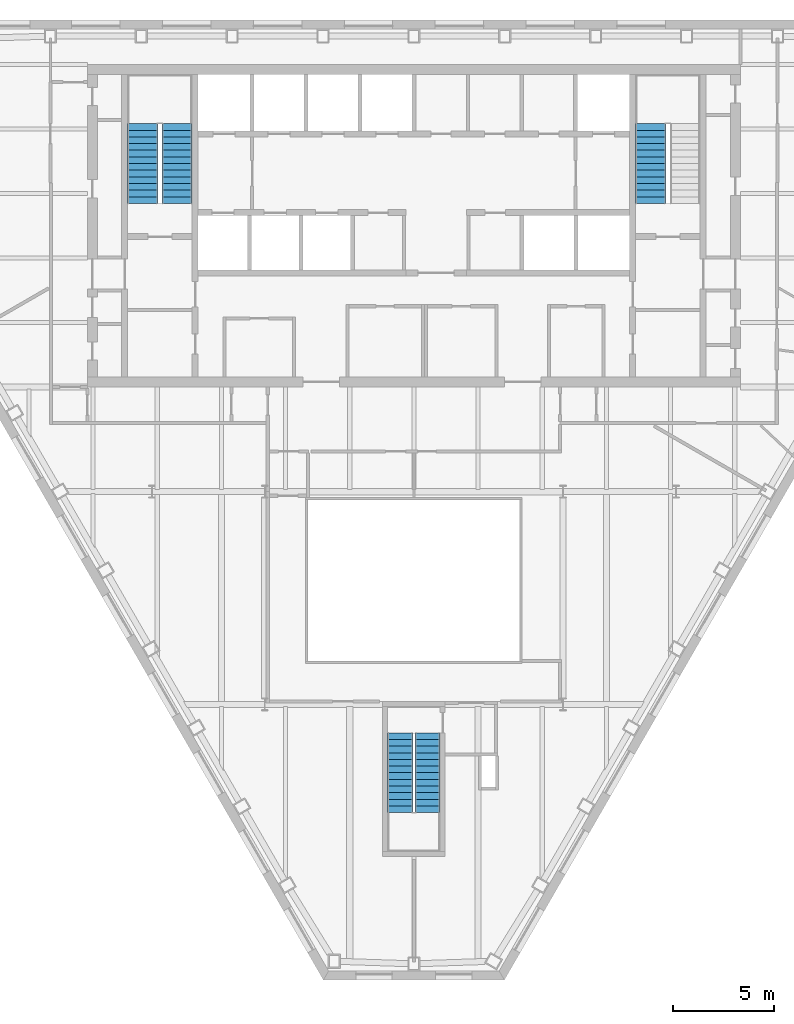
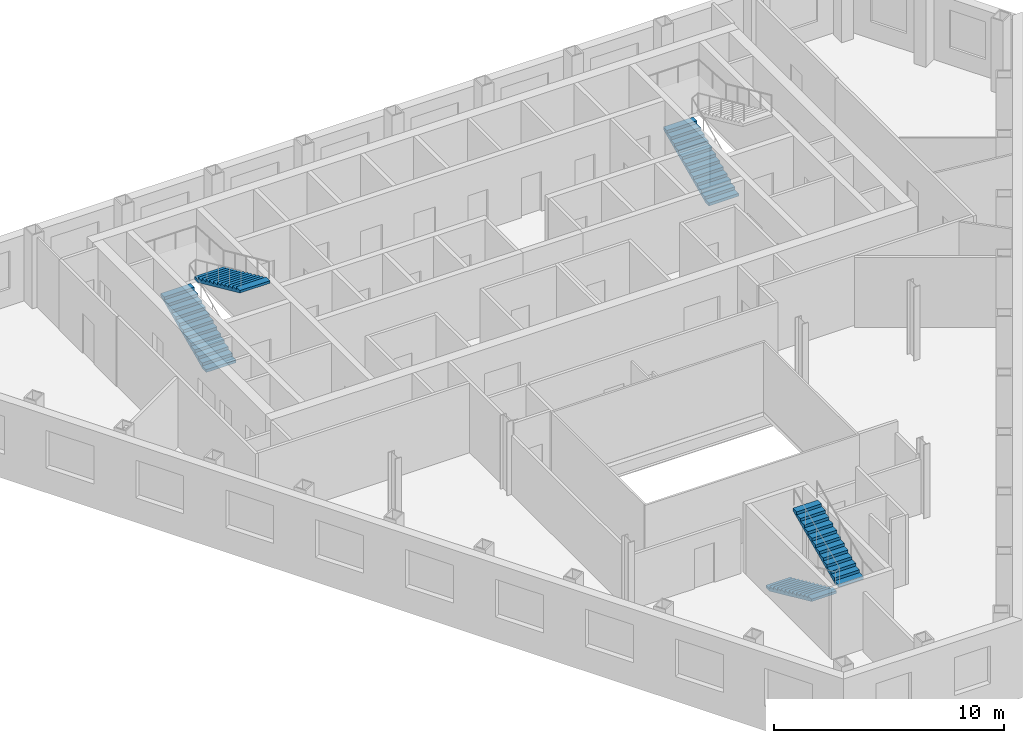
# One storey, part 9 of 11: 5 stair flights, 3 elements without a shape of their own.
"""IFC4 building model written with IfcOpenShell, lengths in metres."""

from ifc_helpers import new_model, si_unit, direction, frame, origin, place, context, subcontext, project, spatial, polygons, material, type_object, element, aggregate, save


model = new_model("IFC4")

# Units and contexts
model_context = context("Model", 3, precision=1e-05, world=origin(), true_north=direction((0.0, 1.0)))
body_context = subcontext(model_context, "Body", "Model", "MODEL_VIEW")
ifc_project = project(units=[si_unit("LENGTHUNIT", "METRE"), si_unit("AREAUNIT", "SQUARE_METRE"), si_unit("VOLUMEUNIT", "CUBIC_METRE"), si_unit("PLANEANGLEUNIT", "RADIAN"), si_unit("MASSUNIT", "GRAM", prefix="KILO")], contexts=[model_context])

# Site, building, storey
site_placement = place(None, origin())
site = spatial("IfcSite", under=ifc_project, at=site_placement, CompositionType="ELEMENT")
building_placement = place(site_placement, origin())
building = spatial("IfcBuilding", under=site, at=building_placement, Name="Njiva Tower", CompositionType="ELEMENT")
storey_placement = place(building_placement, frame((0.0, 0.0, 147.6)))
storey = spatial("IfcBuildingStorey", under=building, at=storey_placement, Name="L31", CompositionType="ELEMENT", Elevation=147.6)

# Stair, stair flights
ifc_material = material(Name="Concrete C40/50", Category="concrete")
stair_type_1 = type_object("IfcStairType", Name="ST1 Exit stair 1250", PredefinedType="HALF_TURN_STAIR", material=ifc_material)
stair_1_placement = place(storey_placement, origin())
stair_1 = element("IfcStair", 1, at=stair_1_placement, inside=storey, type_object=stair_type_1, Name="Stair C", PredefinedType="HALF_TURN_STAIR")
stair_flight_type_1 = type_object("IfcStairFlightType", Name="FL1 Stair flight 1250", PredefinedType="STRAIGHT", material=ifc_material)
stair_flight_1_placement = place(storey_placement, frame((-0.675, -15.16, 0.0), z_axis=(0.0, 0.0, 1.0), x_axis=(0.0, -1.0, 0.0)))
stair_flight_1 = element("IfcStairFlight", 2, at=stair_flight_1_placement, type_object=stair_flight_type_1, Name="ST-C flight 1", NumberOfRisers=13, NumberOfTreads=12, PredefinedType="STRAIGHT", RiserHeight=0.15, TreadLength=0.33, context=body_context, shape_type="Tessellation", body=[
    polygons([(0.0, 0.625, 0.0), (0.0, 0.3125, 0.0), (0.0, 0.0, 0.0), (0.0, -0.3125, 0.0), (0.0, -0.625, 0.0), (0.0, 0.625, 0.15), (0.0, 0.3125, 0.15), (0.0, 0.0, 0.15), (0.0, -0.3125, 0.15), (0.0, -0.625, 0.15), (0.33, 0.625, 0.15), (0.33, 0.3125, 0.15), (0.33, 0.0, 0.15), (0.33, -0.3125, 0.15), (0.33, -0.625, 0.15), (0.33, 0.625, 0.3), (0.33, 0.3125, 0.3), (0.33, 0.0, 0.3), (0.33, -0.3125, 0.3), (0.33, -0.625, 0.3), (0.66, 0.625, 0.3), (0.66, 0.3125, 0.3), (0.66, 0.0, 0.3), (0.66, -0.3125, 0.3), (0.66, -0.625, 0.3), (0.66, 0.625, 0.45), (0.66, 0.3125, 0.45), (0.66, 0.0, 0.45), (0.66, -0.3125, 0.45), (0.66, -0.625, 0.45), (0.99, 0.625, 0.45), (0.99, 0.3125, 0.45), (0.99, 0.0, 0.45), (0.99, -0.3125, 0.45), (0.99, -0.625, 0.45), (0.99, 0.625, 0.6), (0.99, 0.3125, 0.6), (0.99, 0.0, 0.6), (0.99, -0.3125, 0.6), (0.99, -0.625, 0.6), (1.32, 0.625, 0.6), (1.32, 0.3125, 0.6), (1.32, 0.0, 0.6), (1.32, -0.3125, 0.6), (1.32, -0.625, 0.6), (1.32, 0.625, 0.75), (1.32, 0.3125, 0.75), (1.32, 0.0, 0.75), (1.32, -0.3125, 0.75), (1.32, -0.625, 0.75), (1.65, 0.625, 0.75), (1.65, 0.3125, 0.75), (1.65, 0.0, 0.75), (1.65, -0.3125, 0.75), (1.65, -0.625, 0.75), (1.65, 0.625, 0.9), (1.65, 0.3125, 0.9), (1.65, 0.0, 0.9), (1.65, -0.3125, 0.9), (1.65, -0.625, 0.9), (1.98, 0.625, 0.9), (1.98, 0.3125, 0.9), (1.98, 0.0, 0.9), (1.98, -0.3125, 0.9), (1.98, -0.625, 0.9), (1.98, 0.625, 1.05), (1.98, 0.3125, 1.05), (1.98, 0.0, 1.05), (1.98, -0.3125, 1.05), (1.98, -0.625, 1.05), (2.31, 0.625, 1.05), (2.31, 0.3125, 1.05), (2.31, 0.0, 1.05), (2.31, -0.3125, 1.05), (2.31, -0.625, 1.05), (2.31, 0.625, 1.2), (2.31, 0.3125, 1.2), (2.31, 0.0, 1.2), (2.31, -0.3125, 1.2), (2.31, -0.625, 1.2), (2.64, 0.625, 1.2), (2.64, 0.3125, 1.2), (2.64, 0.0, 1.2), (2.64, -0.3125, 1.2), (2.64, -0.625, 1.2), (2.64, 0.625, 1.35), (2.64, 0.3125, 1.35), (2.64, 0.0, 1.35), (2.64, -0.3125, 1.35), (2.64, -0.625, 1.35), (2.97, 0.625, 1.35), (2.97, 0.3125, 1.35), (2.97, 0.0, 1.35), (2.97, -0.3125, 1.35), (2.97, -0.625, 1.35), (2.97, 0.625, 1.5), (2.97, 0.3125, 1.5), (2.97, 0.0, 1.5), (2.97, -0.3125, 1.5), (2.97, -0.625, 1.5), (3.3, 0.625, 1.5), (3.3, 0.3125, 1.5), (3.3, 0.0, 1.5), (3.3, -0.3125, 1.5), (3.3, -0.625, 1.5), (3.3, 0.625, 1.65), (3.3, 0.3125, 1.65), (3.3, 0.0, 1.65), (3.3, -0.3125, 1.65), (3.3, -0.625, 1.65), (3.63, 0.625, 1.65), (3.63, 0.3125, 1.65), (3.63, 0.0, 1.65), (3.63, -0.3125, 1.65), (3.63, -0.625, 1.65), (3.63, 0.625, 1.8), (3.63, 0.3125, 1.8), (3.63, 0.0, 1.8), (3.63, -0.3125, 1.8), (3.63, -0.625, 1.8), (3.96, 0.625, 1.8), (3.96, 0.3125, 1.8), (3.96, 0.0, 1.8), (3.96, -0.3125, 1.8), (3.96, -0.625, 1.8), (3.96, 0.625, 1.6682), (3.96, 0.3125, 1.6682), (3.96, 0.0, 1.6682), (3.96, -0.3125, 1.6682), (3.96, -0.625, 1.6682), (0.29, 0.625, 0.0), (0.29, 0.3125, 0.0), (0.29, 0.0, 0.0), (0.29, -0.3125, 0.0), (0.29, -0.625, 0.0)], [[[1, 6, 11, 16, 21, 26, 31, 36, 41, 46, 51, 56, 61, 66, 71, 76, 81, 86, 91, 96, 101, 106, 111, 116, 121, 126, 131]], [[135, 130, 125, 120, 115, 110, 105, 100, 95, 90, 85, 80, 75, 70, 65, 60, 55, 50, 45, 40, 35, 30, 25, 20, 15, 10, 5]], [[6, 1, 2, 7]], [[7, 2, 3, 8]], [[8, 3, 4, 9]], [[9, 4, 5, 10]], [[11, 6, 7, 12]], [[12, 7, 8, 13]], [[13, 8, 9, 14]], [[14, 9, 10, 15]], [[16, 11, 12, 17]], [[17, 12, 13, 18]], [[18, 13, 14, 19]], [[19, 14, 15, 20]], [[21, 16, 17, 22]], [[22, 17, 18, 23]], [[23, 18, 19, 24]], [[24, 19, 20, 25]], [[26, 21, 22, 27]], [[27, 22, 23, 28]], [[28, 23, 24, 29]], [[29, 24, 25, 30]], [[31, 26, 27, 32]], [[32, 27, 28, 33]], [[33, 28, 29, 34]], [[34, 29, 30, 35]], [[36, 31, 32, 37]], [[37, 32, 33, 38]], [[38, 33, 34, 39]], [[39, 34, 35, 40]], [[41, 36, 37, 42]], [[42, 37, 38, 43]], [[43, 38, 39, 44]], [[44, 39, 40, 45]], [[46, 41, 42, 47]], [[47, 42, 43, 48]], [[48, 43, 44, 49]], [[49, 44, 45, 50]], [[51, 46, 47, 52]], [[52, 47, 48, 53]], [[53, 48, 49, 54]], [[54, 49, 50, 55]], [[56, 51, 52, 57]], [[57, 52, 53, 58]], [[58, 53, 54, 59]], [[59, 54, 55, 60]], [[61, 56, 57, 62]], [[62, 57, 58, 63]], [[63, 58, 59, 64]], [[64, 59, 60, 65]], [[66, 61, 62, 67]], [[67, 62, 63, 68]], [[68, 63, 64, 69]], [[69, 64, 65, 70]], [[71, 66, 67, 72]], [[72, 67, 68, 73]], [[73, 68, 69, 74]], [[74, 69, 70, 75]], [[76, 71, 72, 77]], [[77, 72, 73, 78]], [[78, 73, 74, 79]], [[79, 74, 75, 80]], [[81, 76, 77, 82]], [[82, 77, 78, 83]], [[83, 78, 79, 84]], [[84, 79, 80, 85]], [[86, 81, 82, 87]], [[87, 82, 83, 88]], [[88, 83, 84, 89]], [[89, 84, 85, 90]], [[91, 86, 87, 92]], [[92, 87, 88, 93]], [[93, 88, 89, 94]], [[94, 89, 90, 95]], [[96, 91, 92, 97]], [[97, 92, 93, 98]], [[98, 93, 94, 99]], [[99, 94, 95, 100]], [[101, 96, 97, 102]], [[102, 97, 98, 103]], [[103, 98, 99, 104]], [[104, 99, 100, 105]], [[106, 101, 102, 107]], [[107, 102, 103, 108]], [[108, 103, 104, 109]], [[109, 104, 105, 110]], [[111, 106, 107, 112]], [[112, 107, 108, 113]], [[113, 108, 109, 114]], [[114, 109, 110, 115]], [[116, 111, 112, 117]], [[117, 112, 113, 118]], [[118, 113, 114, 119]], [[119, 114, 115, 120]], [[121, 116, 117, 122]], [[122, 117, 118, 123]], [[123, 118, 119, 124]], [[124, 119, 120, 125]], [[126, 121, 122, 127]], [[127, 122, 123, 128]], [[128, 123, 124, 129]], [[129, 124, 125, 130]], [[131, 126, 127, 132]], [[132, 127, 128, 133]], [[133, 128, 129, 134]], [[134, 129, 130, 135]], [[1, 131, 132, 2]], [[2, 132, 133, 3]], [[3, 133, 134, 4]], [[4, 134, 135, 5]]], closed=True),
])
stair_flight_2_placement = place(storey_placement, frame((0.675, -19.12, 1.95), z_axis=(0.0, 0.0, 1.0), x_axis=(0.0, 1.0, 0.0)))
stair_flight_2 = element("IfcStairFlight", 3, at=stair_flight_2_placement, type_object=stair_flight_type_1, Name="ST-C flight 2", NumberOfRisers=13, NumberOfTreads=12, PredefinedType="STRAIGHT", RiserHeight=0.15, TreadLength=0.33, context=body_context, shape_type="Tessellation", body=[
    polygons([(0.0, 0.625, 0.0), (0.0, 0.3125, 0.0), (0.0, 0.0, 0.0), (0.0, -0.3125, 0.0), (0.0, -0.625, 0.0), (0.0, 0.625, 0.15), (0.0, 0.3125, 0.15), (0.0, 0.0, 0.15), (0.0, -0.3125, 0.15), (0.0, -0.625, 0.15), (0.33, 0.625, 0.15), (0.33, 0.3125, 0.15), (0.33, 0.0, 0.15), (0.33, -0.3125, 0.15), (0.33, -0.625, 0.15), (0.33, 0.625, 0.3), (0.33, 0.3125, 0.3), (0.33, 0.0, 0.3), (0.33, -0.3125, 0.3), (0.33, -0.625, 0.3), (0.66, 0.625, 0.3), (0.66, 0.3125, 0.3), (0.66, 0.0, 0.3), (0.66, -0.3125, 0.3), (0.66, -0.625, 0.3), (0.66, 0.625, 0.45), (0.66, 0.3125, 0.45), (0.66, 0.0, 0.45), (0.66, -0.3125, 0.45), (0.66, -0.625, 0.45), (0.99, 0.625, 0.45), (0.99, 0.3125, 0.45), (0.99, 0.0, 0.45), (0.99, -0.3125, 0.45), (0.99, -0.625, 0.45), (0.99, 0.625, 0.6), (0.99, 0.3125, 0.6), (0.99, 0.0, 0.6), (0.99, -0.3125, 0.6), (0.99, -0.625, 0.6), (1.32, 0.625, 0.6), (1.32, 0.3125, 0.6), (1.32, 0.0, 0.6), (1.32, -0.3125, 0.6), (1.32, -0.625, 0.6), (1.32, 0.625, 0.75), (1.32, 0.3125, 0.75), (1.32, 0.0, 0.75), (1.32, -0.3125, 0.75), (1.32, -0.625, 0.75), (1.65, 0.625, 0.75), (1.65, 0.3125, 0.75), (1.65, 0.0, 0.75), (1.65, -0.3125, 0.75), (1.65, -0.625, 0.75), (1.65, 0.625, 0.9), (1.65, 0.3125, 0.9), (1.65, 0.0, 0.9), (1.65, -0.3125, 0.9), (1.65, -0.625, 0.9), (1.98, 0.625, 0.9), (1.98, 0.3125, 0.9), (1.98, 0.0, 0.9), (1.98, -0.3125, 0.9), (1.98, -0.625, 0.9), (1.98, 0.625, 1.05), (1.98, 0.3125, 1.05), (1.98, 0.0, 1.05), (1.98, -0.3125, 1.05), (1.98, -0.625, 1.05), (2.31, 0.625, 1.05), (2.31, 0.3125, 1.05), (2.31, 0.0, 1.05), (2.31, -0.3125, 1.05), (2.31, -0.625, 1.05), (2.31, 0.625, 1.2), (2.31, 0.3125, 1.2), (2.31, 0.0, 1.2), (2.31, -0.3125, 1.2), (2.31, -0.625, 1.2), (2.64, 0.625, 1.2), (2.64, 0.3125, 1.2), (2.64, 0.0, 1.2), (2.64, -0.3125, 1.2), (2.64, -0.625, 1.2), (2.64, 0.625, 1.35), (2.64, 0.3125, 1.35), (2.64, 0.0, 1.35), (2.64, -0.3125, 1.35), (2.64, -0.625, 1.35), (2.97, 0.625, 1.35), (2.97, 0.3125, 1.35), (2.97, 0.0, 1.35), (2.97, -0.3125, 1.35), (2.97, -0.625, 1.35), (2.97, 0.625, 1.5), (2.97, 0.3125, 1.5), (2.97, 0.0, 1.5), (2.97, -0.3125, 1.5), (2.97, -0.625, 1.5), (3.3, 0.625, 1.5), (3.3, 0.3125, 1.5), (3.3, 0.0, 1.5), (3.3, -0.3125, 1.5), (3.3, -0.625, 1.5), (3.3, 0.625, 1.65), (3.3, 0.3125, 1.65), (3.3, 0.0, 1.65), (3.3, -0.3125, 1.65), (3.3, -0.625, 1.65), (3.63, 0.625, 1.65), (3.63, 0.3125, 1.65), (3.63, 0.0, 1.65), (3.63, -0.3125, 1.65), (3.63, -0.625, 1.65), (3.63, 0.625, 1.8), (3.63, 0.3125, 1.8), (3.63, 0.0, 1.8), (3.63, -0.3125, 1.8), (3.63, -0.625, 1.8), (3.96, 0.625, 1.8), (3.96, 0.3125, 1.8), (3.96, 0.0, 1.8), (3.96, -0.3125, 1.8), (3.96, -0.625, 1.8), (3.96, 0.625, 1.6682), (3.96, 0.3125, 1.6682), (3.96, 0.0, 1.6682), (3.96, -0.3125, 1.6682), (3.96, -0.625, 1.6682), (0.29, 0.625, 0.0), (0.29, 0.3125, 0.0), (0.29, 0.0, 0.0), (0.29, -0.3125, 0.0), (0.29, -0.625, 0.0)], [[[1, 6, 11, 16, 21, 26, 31, 36, 41, 46, 51, 56, 61, 66, 71, 76, 81, 86, 91, 96, 101, 106, 111, 116, 121, 126, 131]], [[135, 130, 125, 120, 115, 110, 105, 100, 95, 90, 85, 80, 75, 70, 65, 60, 55, 50, 45, 40, 35, 30, 25, 20, 15, 10, 5]], [[6, 1, 2, 7]], [[7, 2, 3, 8]], [[8, 3, 4, 9]], [[9, 4, 5, 10]], [[11, 6, 7, 12]], [[12, 7, 8, 13]], [[13, 8, 9, 14]], [[14, 9, 10, 15]], [[16, 11, 12, 17]], [[17, 12, 13, 18]], [[18, 13, 14, 19]], [[19, 14, 15, 20]], [[21, 16, 17, 22]], [[22, 17, 18, 23]], [[23, 18, 19, 24]], [[24, 19, 20, 25]], [[26, 21, 22, 27]], [[27, 22, 23, 28]], [[28, 23, 24, 29]], [[29, 24, 25, 30]], [[31, 26, 27, 32]], [[32, 27, 28, 33]], [[33, 28, 29, 34]], [[34, 29, 30, 35]], [[36, 31, 32, 37]], [[37, 32, 33, 38]], [[38, 33, 34, 39]], [[39, 34, 35, 40]], [[41, 36, 37, 42]], [[42, 37, 38, 43]], [[43, 38, 39, 44]], [[44, 39, 40, 45]], [[46, 41, 42, 47]], [[47, 42, 43, 48]], [[48, 43, 44, 49]], [[49, 44, 45, 50]], [[51, 46, 47, 52]], [[52, 47, 48, 53]], [[53, 48, 49, 54]], [[54, 49, 50, 55]], [[56, 51, 52, 57]], [[57, 52, 53, 58]], [[58, 53, 54, 59]], [[59, 54, 55, 60]], [[61, 56, 57, 62]], [[62, 57, 58, 63]], [[63, 58, 59, 64]], [[64, 59, 60, 65]], [[66, 61, 62, 67]], [[67, 62, 63, 68]], [[68, 63, 64, 69]], [[69, 64, 65, 70]], [[71, 66, 67, 72]], [[72, 67, 68, 73]], [[73, 68, 69, 74]], [[74, 69, 70, 75]], [[76, 71, 72, 77]], [[77, 72, 73, 78]], [[78, 73, 74, 79]], [[79, 74, 75, 80]], [[81, 76, 77, 82]], [[82, 77, 78, 83]], [[83, 78, 79, 84]], [[84, 79, 80, 85]], [[86, 81, 82, 87]], [[87, 82, 83, 88]], [[88, 83, 84, 89]], [[89, 84, 85, 90]], [[91, 86, 87, 92]], [[92, 87, 88, 93]], [[93, 88, 89, 94]], [[94, 89, 90, 95]], [[96, 91, 92, 97]], [[97, 92, 93, 98]], [[98, 93, 94, 99]], [[99, 94, 95, 100]], [[101, 96, 97, 102]], [[102, 97, 98, 103]], [[103, 98, 99, 104]], [[104, 99, 100, 105]], [[106, 101, 102, 107]], [[107, 102, 103, 108]], [[108, 103, 104, 109]], [[109, 104, 105, 110]], [[111, 106, 107, 112]], [[112, 107, 108, 113]], [[113, 108, 109, 114]], [[114, 109, 110, 115]], [[116, 111, 112, 117]], [[117, 112, 113, 118]], [[118, 113, 114, 119]], [[119, 114, 115, 120]], [[121, 116, 117, 122]], [[122, 117, 118, 123]], [[123, 118, 119, 124]], [[124, 119, 120, 125]], [[126, 121, 122, 127]], [[127, 122, 123, 128]], [[128, 123, 124, 129]], [[129, 124, 125, 130]], [[131, 126, 127, 132]], [[132, 127, 128, 133]], [[133, 128, 129, 134]], [[134, 129, 130, 135]], [[1, 131, 132, 2]], [[2, 132, 133, 3]], [[3, 133, 134, 4]], [[4, 134, 135, 5]]], closed=True),
])
aggregate(stair_1, [stair_flight_1, stair_flight_2])

stair_type_2 = type_object("IfcStairType", Name="ST4 Exit stair 1500", PredefinedType="HALF_TURN_STAIR", material=ifc_material)
stair_2_placement = place(storey_placement, origin())
stair_2 = element("IfcStair", 4, at=stair_2_placement, inside=storey, type_object=stair_type_2, Name="Stair A", PredefinedType="HALF_TURN_STAIR")
stair_flight_type_2 = type_object("IfcStairFlightType", Name="FL4 Stair flight 1500", PredefinedType="STRAIGHT", material=ifc_material)
stair_flight_3_placement = place(storey_placement, frame((-13.45, 11.1, 0.0), z_axis=(0.0, 0.0, 1.0), x_axis=(0.0, 1.0, 0.0)))
stair_flight_3 = element("IfcStairFlight", 5, at=stair_flight_3_placement, type_object=stair_flight_type_2, Name="ST-A flight 1", NumberOfRisers=13, NumberOfTreads=12, PredefinedType="STRAIGHT", RiserHeight=0.15, TreadLength=0.33, context=body_context, shape_type="Tessellation", body=[
    polygons([(0.0, 0.75, 0.0), (0.0, 0.375, 0.0), (0.0, 0.0, 0.0), (0.0, -0.375, 0.0), (0.0, -0.75, 0.0), (0.0, 0.75, 0.15), (0.0, 0.375, 0.15), (0.0, 0.0, 0.15), (0.0, -0.375, 0.15), (0.0, -0.75, 0.15), (0.33, 0.75, 0.15), (0.33, 0.375, 0.15), (0.33, 0.0, 0.15), (0.33, -0.375, 0.15), (0.33, -0.75, 0.15), (0.33, 0.75, 0.3), (0.33, 0.375, 0.3), (0.33, 0.0, 0.3), (0.33, -0.375, 0.3), (0.33, -0.75, 0.3), (0.66, 0.75, 0.3), (0.66, 0.375, 0.3), (0.66, 0.0, 0.3), (0.66, -0.375, 0.3), (0.66, -0.75, 0.3), (0.66, 0.75, 0.45), (0.66, 0.375, 0.45), (0.66, 0.0, 0.45), (0.66, -0.375, 0.45), (0.66, -0.75, 0.45), (0.99, 0.75, 0.45), (0.99, 0.375, 0.45), (0.99, 0.0, 0.45), (0.99, -0.375, 0.45), (0.99, -0.75, 0.45), (0.99, 0.75, 0.6), (0.99, 0.375, 0.6), (0.99, 0.0, 0.6), (0.99, -0.375, 0.6), (0.99, -0.75, 0.6), (1.32, 0.75, 0.6), (1.32, 0.375, 0.6), (1.32, 0.0, 0.6), (1.32, -0.375, 0.6), (1.32, -0.75, 0.6), (1.32, 0.75, 0.75), (1.32, 0.375, 0.75), (1.32, 0.0, 0.75), (1.32, -0.375, 0.75), (1.32, -0.75, 0.75), (1.65, 0.75, 0.75), (1.65, 0.375, 0.75), (1.65, 0.0, 0.75), (1.65, -0.375, 0.75), (1.65, -0.75, 0.75), (1.65, 0.75, 0.9), (1.65, 0.375, 0.9), (1.65, 0.0, 0.9), (1.65, -0.375, 0.9), (1.65, -0.75, 0.9), (1.98, 0.75, 0.9), (1.98, 0.375, 0.9), (1.98, 0.0, 0.9), (1.98, -0.375, 0.9), (1.98, -0.75, 0.9), (1.98, 0.75, 1.05), (1.98, 0.375, 1.05), (1.98, 0.0, 1.05), (1.98, -0.375, 1.05), (1.98, -0.75, 1.05), (2.31, 0.75, 1.05), (2.31, 0.375, 1.05), (2.31, 0.0, 1.05), (2.31, -0.375, 1.05), (2.31, -0.75, 1.05), (2.31, 0.75, 1.2), (2.31, 0.375, 1.2), (2.31, 0.0, 1.2), (2.31, -0.375, 1.2), (2.31, -0.75, 1.2), (2.64, 0.75, 1.2), (2.64, 0.375, 1.2), (2.64, 0.0, 1.2), (2.64, -0.375, 1.2), (2.64, -0.75, 1.2), (2.64, 0.75, 1.35), (2.64, 0.375, 1.35), (2.64, 0.0, 1.35), (2.64, -0.375, 1.35), (2.64, -0.75, 1.35), (2.97, 0.75, 1.35), (2.97, 0.375, 1.35), (2.97, 0.0, 1.35), (2.97, -0.375, 1.35), (2.97, -0.75, 1.35), (2.97, 0.75, 1.5), (2.97, 0.375, 1.5), (2.97, 0.0, 1.5), (2.97, -0.375, 1.5), (2.97, -0.75, 1.5), (3.3, 0.75, 1.5), (3.3, 0.375, 1.5), (3.3, 0.0, 1.5), (3.3, -0.375, 1.5), (3.3, -0.75, 1.5), (3.3, 0.75, 1.65), (3.3, 0.375, 1.65), (3.3, 0.0, 1.65), (3.3, -0.375, 1.65), (3.3, -0.75, 1.65), (3.63, 0.75, 1.65), (3.63, 0.375, 1.65), (3.63, 0.0, 1.65), (3.63, -0.375, 1.65), (3.63, -0.75, 1.65), (3.63, 0.75, 1.8), (3.63, 0.375, 1.8), (3.63, 0.0, 1.8), (3.63, -0.375, 1.8), (3.63, -0.75, 1.8), (3.96, 0.75, 1.8), (3.96, 0.375, 1.8), (3.96, 0.0, 1.8), (3.96, -0.375, 1.8), (3.96, -0.75, 1.8), (3.96, 0.75, 1.6682), (3.96, 0.375, 1.6682), (3.96, 0.0, 1.6682), (3.96, -0.375, 1.6682), (3.96, -0.75, 1.6682), (0.29, 0.75, 0.0), (0.29, 0.375, 0.0), (0.29, 0.0, 0.0), (0.29, -0.375, 0.0), (0.29, -0.75, 0.0)], [[[1, 6, 11, 16, 21, 26, 31, 36, 41, 46, 51, 56, 61, 66, 71, 76, 81, 86, 91, 96, 101, 106, 111, 116, 121, 126, 131]], [[135, 130, 125, 120, 115, 110, 105, 100, 95, 90, 85, 80, 75, 70, 65, 60, 55, 50, 45, 40, 35, 30, 25, 20, 15, 10, 5]], [[6, 1, 2, 7]], [[7, 2, 3, 8]], [[8, 3, 4, 9]], [[9, 4, 5, 10]], [[11, 6, 7, 12]], [[12, 7, 8, 13]], [[13, 8, 9, 14]], [[14, 9, 10, 15]], [[16, 11, 12, 17]], [[17, 12, 13, 18]], [[18, 13, 14, 19]], [[19, 14, 15, 20]], [[21, 16, 17, 22]], [[22, 17, 18, 23]], [[23, 18, 19, 24]], [[24, 19, 20, 25]], [[26, 21, 22, 27]], [[27, 22, 23, 28]], [[28, 23, 24, 29]], [[29, 24, 25, 30]], [[31, 26, 27, 32]], [[32, 27, 28, 33]], [[33, 28, 29, 34]], [[34, 29, 30, 35]], [[36, 31, 32, 37]], [[37, 32, 33, 38]], [[38, 33, 34, 39]], [[39, 34, 35, 40]], [[41, 36, 37, 42]], [[42, 37, 38, 43]], [[43, 38, 39, 44]], [[44, 39, 40, 45]], [[46, 41, 42, 47]], [[47, 42, 43, 48]], [[48, 43, 44, 49]], [[49, 44, 45, 50]], [[51, 46, 47, 52]], [[52, 47, 48, 53]], [[53, 48, 49, 54]], [[54, 49, 50, 55]], [[56, 51, 52, 57]], [[57, 52, 53, 58]], [[58, 53, 54, 59]], [[59, 54, 55, 60]], [[61, 56, 57, 62]], [[62, 57, 58, 63]], [[63, 58, 59, 64]], [[64, 59, 60, 65]], [[66, 61, 62, 67]], [[67, 62, 63, 68]], [[68, 63, 64, 69]], [[69, 64, 65, 70]], [[71, 66, 67, 72]], [[72, 67, 68, 73]], [[73, 68, 69, 74]], [[74, 69, 70, 75]], [[76, 71, 72, 77]], [[77, 72, 73, 78]], [[78, 73, 74, 79]], [[79, 74, 75, 80]], [[81, 76, 77, 82]], [[82, 77, 78, 83]], [[83, 78, 79, 84]], [[84, 79, 80, 85]], [[86, 81, 82, 87]], [[87, 82, 83, 88]], [[88, 83, 84, 89]], [[89, 84, 85, 90]], [[91, 86, 87, 92]], [[92, 87, 88, 93]], [[93, 88, 89, 94]], [[94, 89, 90, 95]], [[96, 91, 92, 97]], [[97, 92, 93, 98]], [[98, 93, 94, 99]], [[99, 94, 95, 100]], [[101, 96, 97, 102]], [[102, 97, 98, 103]], [[103, 98, 99, 104]], [[104, 99, 100, 105]], [[106, 101, 102, 107]], [[107, 102, 103, 108]], [[108, 103, 104, 109]], [[109, 104, 105, 110]], [[111, 106, 107, 112]], [[112, 107, 108, 113]], [[113, 108, 109, 114]], [[114, 109, 110, 115]], [[116, 111, 112, 117]], [[117, 112, 113, 118]], [[118, 113, 114, 119]], [[119, 114, 115, 120]], [[121, 116, 117, 122]], [[122, 117, 118, 123]], [[123, 118, 119, 124]], [[124, 119, 120, 125]], [[126, 121, 122, 127]], [[127, 122, 123, 128]], [[128, 123, 124, 129]], [[129, 124, 125, 130]], [[131, 126, 127, 132]], [[132, 127, 128, 133]], [[133, 128, 129, 134]], [[134, 129, 130, 135]], [[1, 131, 132, 2]], [[2, 132, 133, 3]], [[3, 133, 134, 4]], [[4, 134, 135, 5]]], closed=True),
])
stair_flight_4_placement = place(storey_placement, frame((-11.75, 15.06, 1.95), z_axis=(0.0, 0.0, 1.0), x_axis=(0.0, -1.0, 0.0)))
stair_flight_4 = element("IfcStairFlight", 6, at=stair_flight_4_placement, type_object=stair_flight_type_2, Name="ST-A flight 2", NumberOfRisers=13, NumberOfTreads=12, PredefinedType="STRAIGHT", RiserHeight=0.15, TreadLength=0.33, context=body_context, shape_type="Tessellation", body=[
    polygons([(0.0, 0.75, 0.0), (0.0, 0.375, 0.0), (0.0, 0.0, 0.0), (0.0, -0.375, 0.0), (0.0, -0.75, 0.0), (0.0, 0.75, 0.15), (0.0, 0.375, 0.15), (0.0, 0.0, 0.15), (0.0, -0.375, 0.15), (0.0, -0.75, 0.15), (0.33, 0.75, 0.15), (0.33, 0.375, 0.15), (0.33, 0.0, 0.15), (0.33, -0.375, 0.15), (0.33, -0.75, 0.15), (0.33, 0.75, 0.3), (0.33, 0.375, 0.3), (0.33, 0.0, 0.3), (0.33, -0.375, 0.3), (0.33, -0.75, 0.3), (0.66, 0.75, 0.3), (0.66, 0.375, 0.3), (0.66, 0.0, 0.3), (0.66, -0.375, 0.3), (0.66, -0.75, 0.3), (0.66, 0.75, 0.45), (0.66, 0.375, 0.45), (0.66, 0.0, 0.45), (0.66, -0.375, 0.45), (0.66, -0.75, 0.45), (0.99, 0.75, 0.45), (0.99, 0.375, 0.45), (0.99, 0.0, 0.45), (0.99, -0.375, 0.45), (0.99, -0.75, 0.45), (0.99, 0.75, 0.6), (0.99, 0.375, 0.6), (0.99, 0.0, 0.6), (0.99, -0.375, 0.6), (0.99, -0.75, 0.6), (1.32, 0.75, 0.6), (1.32, 0.375, 0.6), (1.32, 0.0, 0.6), (1.32, -0.375, 0.6), (1.32, -0.75, 0.6), (1.32, 0.75, 0.75), (1.32, 0.375, 0.75), (1.32, 0.0, 0.75), (1.32, -0.375, 0.75), (1.32, -0.75, 0.75), (1.65, 0.75, 0.75), (1.65, 0.375, 0.75), (1.65, 0.0, 0.75), (1.65, -0.375, 0.75), (1.65, -0.75, 0.75), (1.65, 0.75, 0.9), (1.65, 0.375, 0.9), (1.65, 0.0, 0.9), (1.65, -0.375, 0.9), (1.65, -0.75, 0.9), (1.98, 0.75, 0.9), (1.98, 0.375, 0.9), (1.98, 0.0, 0.9), (1.98, -0.375, 0.9), (1.98, -0.75, 0.9), (1.98, 0.75, 1.05), (1.98, 0.375, 1.05), (1.98, 0.0, 1.05), (1.98, -0.375, 1.05), (1.98, -0.75, 1.05), (2.31, 0.75, 1.05), (2.31, 0.375, 1.05), (2.31, 0.0, 1.05), (2.31, -0.375, 1.05), (2.31, -0.75, 1.05), (2.31, 0.75, 1.2), (2.31, 0.375, 1.2), (2.31, 0.0, 1.2), (2.31, -0.375, 1.2), (2.31, -0.75, 1.2), (2.64, 0.75, 1.2), (2.64, 0.375, 1.2), (2.64, 0.0, 1.2), (2.64, -0.375, 1.2), (2.64, -0.75, 1.2), (2.64, 0.75, 1.35), (2.64, 0.375, 1.35), (2.64, 0.0, 1.35), (2.64, -0.375, 1.35), (2.64, -0.75, 1.35), (2.97, 0.75, 1.35), (2.97, 0.375, 1.35), (2.97, 0.0, 1.35), (2.97, -0.375, 1.35), (2.97, -0.75, 1.35), (2.97, 0.75, 1.5), (2.97, 0.375, 1.5), (2.97, 0.0, 1.5), (2.97, -0.375, 1.5), (2.97, -0.75, 1.5), (3.3, 0.75, 1.5), (3.3, 0.375, 1.5), (3.3, 0.0, 1.5), (3.3, -0.375, 1.5), (3.3, -0.75, 1.5), (3.3, 0.75, 1.65), (3.3, 0.375, 1.65), (3.3, 0.0, 1.65), (3.3, -0.375, 1.65), (3.3, -0.75, 1.65), (3.63, 0.75, 1.65), (3.63, 0.375, 1.65), (3.63, 0.0, 1.65), (3.63, -0.375, 1.65), (3.63, -0.75, 1.65), (3.63, 0.75, 1.8), (3.63, 0.375, 1.8), (3.63, 0.0, 1.8), (3.63, -0.375, 1.8), (3.63, -0.75, 1.8), (3.96, 0.75, 1.8), (3.96, 0.375, 1.8), (3.96, 0.0, 1.8), (3.96, -0.375, 1.8), (3.96, -0.75, 1.8), (3.96, 0.75, 1.6682), (3.96, 0.375, 1.6682), (3.96, 0.0, 1.6682), (3.96, -0.375, 1.6682), (3.96, -0.75, 1.6682), (0.29, 0.75, 0.0), (0.29, 0.375, 0.0), (0.29, 0.0, 0.0), (0.29, -0.375, 0.0), (0.29, -0.75, 0.0)], [[[1, 6, 11, 16, 21, 26, 31, 36, 41, 46, 51, 56, 61, 66, 71, 76, 81, 86, 91, 96, 101, 106, 111, 116, 121, 126, 131]], [[135, 130, 125, 120, 115, 110, 105, 100, 95, 90, 85, 80, 75, 70, 65, 60, 55, 50, 45, 40, 35, 30, 25, 20, 15, 10, 5]], [[6, 1, 2, 7]], [[7, 2, 3, 8]], [[8, 3, 4, 9]], [[9, 4, 5, 10]], [[11, 6, 7, 12]], [[12, 7, 8, 13]], [[13, 8, 9, 14]], [[14, 9, 10, 15]], [[16, 11, 12, 17]], [[17, 12, 13, 18]], [[18, 13, 14, 19]], [[19, 14, 15, 20]], [[21, 16, 17, 22]], [[22, 17, 18, 23]], [[23, 18, 19, 24]], [[24, 19, 20, 25]], [[26, 21, 22, 27]], [[27, 22, 23, 28]], [[28, 23, 24, 29]], [[29, 24, 25, 30]], [[31, 26, 27, 32]], [[32, 27, 28, 33]], [[33, 28, 29, 34]], [[34, 29, 30, 35]], [[36, 31, 32, 37]], [[37, 32, 33, 38]], [[38, 33, 34, 39]], [[39, 34, 35, 40]], [[41, 36, 37, 42]], [[42, 37, 38, 43]], [[43, 38, 39, 44]], [[44, 39, 40, 45]], [[46, 41, 42, 47]], [[47, 42, 43, 48]], [[48, 43, 44, 49]], [[49, 44, 45, 50]], [[51, 46, 47, 52]], [[52, 47, 48, 53]], [[53, 48, 49, 54]], [[54, 49, 50, 55]], [[56, 51, 52, 57]], [[57, 52, 53, 58]], [[58, 53, 54, 59]], [[59, 54, 55, 60]], [[61, 56, 57, 62]], [[62, 57, 58, 63]], [[63, 58, 59, 64]], [[64, 59, 60, 65]], [[66, 61, 62, 67]], [[67, 62, 63, 68]], [[68, 63, 64, 69]], [[69, 64, 65, 70]], [[71, 66, 67, 72]], [[72, 67, 68, 73]], [[73, 68, 69, 74]], [[74, 69, 70, 75]], [[76, 71, 72, 77]], [[77, 72, 73, 78]], [[78, 73, 74, 79]], [[79, 74, 75, 80]], [[81, 76, 77, 82]], [[82, 77, 78, 83]], [[83, 78, 79, 84]], [[84, 79, 80, 85]], [[86, 81, 82, 87]], [[87, 82, 83, 88]], [[88, 83, 84, 89]], [[89, 84, 85, 90]], [[91, 86, 87, 92]], [[92, 87, 88, 93]], [[93, 88, 89, 94]], [[94, 89, 90, 95]], [[96, 91, 92, 97]], [[97, 92, 93, 98]], [[98, 93, 94, 99]], [[99, 94, 95, 100]], [[101, 96, 97, 102]], [[102, 97, 98, 103]], [[103, 98, 99, 104]], [[104, 99, 100, 105]], [[106, 101, 102, 107]], [[107, 102, 103, 108]], [[108, 103, 104, 109]], [[109, 104, 105, 110]], [[111, 106, 107, 112]], [[112, 107, 108, 113]], [[113, 108, 109, 114]], [[114, 109, 110, 115]], [[116, 111, 112, 117]], [[117, 112, 113, 118]], [[118, 113, 114, 119]], [[119, 114, 115, 120]], [[121, 116, 117, 122]], [[122, 117, 118, 123]], [[123, 118, 119, 124]], [[124, 119, 120, 125]], [[126, 121, 122, 127]], [[127, 122, 123, 128]], [[128, 123, 124, 129]], [[129, 124, 125, 130]], [[131, 126, 127, 132]], [[132, 127, 128, 133]], [[133, 128, 129, 134]], [[134, 129, 130, 135]], [[1, 131, 132, 2]], [[2, 132, 133, 3]], [[3, 133, 134, 4]], [[4, 134, 135, 5]]], closed=True),
])
aggregate(stair_2, [stair_flight_3, stair_flight_4])

# Stair, stair flight
stair_3_placement = place(storey_placement, origin())
stair_3 = element("IfcStair", 7, at=stair_3_placement, inside=storey, type_object=stair_type_2, Name="Stair B", PredefinedType="HALF_TURN_STAIR")
stair_flight_5_placement = place(storey_placement, frame((11.75, 11.1, 0.0), z_axis=(0.0, 0.0, 1.0), x_axis=(0.0, 1.0, 0.0)))
stair_flight_5 = element("IfcStairFlight", 8, at=stair_flight_5_placement, type_object=stair_flight_type_2, Name="ST-B flight 1", NumberOfRisers=13, NumberOfTreads=12, PredefinedType="STRAIGHT", RiserHeight=0.15, TreadLength=0.33, context=body_context, shape_type="Tessellation", body=[
    polygons([(0.0, 0.75, 0.0), (0.0, 0.375, 0.0), (0.0, 0.0, 0.0), (0.0, -0.375, 0.0), (0.0, -0.75, 0.0), (0.0, 0.75, 0.15), (0.0, 0.375, 0.15), (0.0, 0.0, 0.15), (0.0, -0.375, 0.15), (0.0, -0.75, 0.15), (0.33, 0.75, 0.15), (0.33, 0.375, 0.15), (0.33, 0.0, 0.15), (0.33, -0.375, 0.15), (0.33, -0.75, 0.15), (0.33, 0.75, 0.3), (0.33, 0.375, 0.3), (0.33, 0.0, 0.3), (0.33, -0.375, 0.3), (0.33, -0.75, 0.3), (0.66, 0.75, 0.3), (0.66, 0.375, 0.3), (0.66, 0.0, 0.3), (0.66, -0.375, 0.3), (0.66, -0.75, 0.3), (0.66, 0.75, 0.45), (0.66, 0.375, 0.45), (0.66, 0.0, 0.45), (0.66, -0.375, 0.45), (0.66, -0.75, 0.45), (0.99, 0.75, 0.45), (0.99, 0.375, 0.45), (0.99, 0.0, 0.45), (0.99, -0.375, 0.45), (0.99, -0.75, 0.45), (0.99, 0.75, 0.6), (0.99, 0.375, 0.6), (0.99, 0.0, 0.6), (0.99, -0.375, 0.6), (0.99, -0.75, 0.6), (1.32, 0.75, 0.6), (1.32, 0.375, 0.6), (1.32, 0.0, 0.6), (1.32, -0.375, 0.6), (1.32, -0.75, 0.6), (1.32, 0.75, 0.75), (1.32, 0.375, 0.75), (1.32, 0.0, 0.75), (1.32, -0.375, 0.75), (1.32, -0.75, 0.75), (1.65, 0.75, 0.75), (1.65, 0.375, 0.75), (1.65, 0.0, 0.75), (1.65, -0.375, 0.75), (1.65, -0.75, 0.75), (1.65, 0.75, 0.9), (1.65, 0.375, 0.9), (1.65, 0.0, 0.9), (1.65, -0.375, 0.9), (1.65, -0.75, 0.9), (1.98, 0.75, 0.9), (1.98, 0.375, 0.9), (1.98, 0.0, 0.9), (1.98, -0.375, 0.9), (1.98, -0.75, 0.9), (1.98, 0.75, 1.05), (1.98, 0.375, 1.05), (1.98, 0.0, 1.05), (1.98, -0.375, 1.05), (1.98, -0.75, 1.05), (2.31, 0.75, 1.05), (2.31, 0.375, 1.05), (2.31, 0.0, 1.05), (2.31, -0.375, 1.05), (2.31, -0.75, 1.05), (2.31, 0.75, 1.2), (2.31, 0.375, 1.2), (2.31, 0.0, 1.2), (2.31, -0.375, 1.2), (2.31, -0.75, 1.2), (2.64, 0.75, 1.2), (2.64, 0.375, 1.2), (2.64, 0.0, 1.2), (2.64, -0.375, 1.2), (2.64, -0.75, 1.2), (2.64, 0.75, 1.35), (2.64, 0.375, 1.35), (2.64, 0.0, 1.35), (2.64, -0.375, 1.35), (2.64, -0.75, 1.35), (2.97, 0.75, 1.35), (2.97, 0.375, 1.35), (2.97, 0.0, 1.35), (2.97, -0.375, 1.35), (2.97, -0.75, 1.35), (2.97, 0.75, 1.5), (2.97, 0.375, 1.5), (2.97, 0.0, 1.5), (2.97, -0.375, 1.5), (2.97, -0.75, 1.5), (3.3, 0.75, 1.5), (3.3, 0.375, 1.5), (3.3, 0.0, 1.5), (3.3, -0.375, 1.5), (3.3, -0.75, 1.5), (3.3, 0.75, 1.65), (3.3, 0.375, 1.65), (3.3, 0.0, 1.65), (3.3, -0.375, 1.65), (3.3, -0.75, 1.65), (3.63, 0.75, 1.65), (3.63, 0.375, 1.65), (3.63, 0.0, 1.65), (3.63, -0.375, 1.65), (3.63, -0.75, 1.65), (3.63, 0.75, 1.8), (3.63, 0.375, 1.8), (3.63, 0.0, 1.8), (3.63, -0.375, 1.8), (3.63, -0.75, 1.8), (3.96, 0.75, 1.8), (3.96, 0.375, 1.8), (3.96, 0.0, 1.8), (3.96, -0.375, 1.8), (3.96, -0.75, 1.8), (3.96, 0.75, 1.6682), (3.96, 0.375, 1.6682), (3.96, 0.0, 1.6682), (3.96, -0.375, 1.6682), (3.96, -0.75, 1.6682), (0.29, 0.75, 0.0), (0.29, 0.375, 0.0), (0.29, 0.0, 0.0), (0.29, -0.375, 0.0), (0.29, -0.75, 0.0)], [[[1, 6, 11, 16, 21, 26, 31, 36, 41, 46, 51, 56, 61, 66, 71, 76, 81, 86, 91, 96, 101, 106, 111, 116, 121, 126, 131]], [[135, 130, 125, 120, 115, 110, 105, 100, 95, 90, 85, 80, 75, 70, 65, 60, 55, 50, 45, 40, 35, 30, 25, 20, 15, 10, 5]], [[6, 1, 2, 7]], [[7, 2, 3, 8]], [[8, 3, 4, 9]], [[9, 4, 5, 10]], [[11, 6, 7, 12]], [[12, 7, 8, 13]], [[13, 8, 9, 14]], [[14, 9, 10, 15]], [[16, 11, 12, 17]], [[17, 12, 13, 18]], [[18, 13, 14, 19]], [[19, 14, 15, 20]], [[21, 16, 17, 22]], [[22, 17, 18, 23]], [[23, 18, 19, 24]], [[24, 19, 20, 25]], [[26, 21, 22, 27]], [[27, 22, 23, 28]], [[28, 23, 24, 29]], [[29, 24, 25, 30]], [[31, 26, 27, 32]], [[32, 27, 28, 33]], [[33, 28, 29, 34]], [[34, 29, 30, 35]], [[36, 31, 32, 37]], [[37, 32, 33, 38]], [[38, 33, 34, 39]], [[39, 34, 35, 40]], [[41, 36, 37, 42]], [[42, 37, 38, 43]], [[43, 38, 39, 44]], [[44, 39, 40, 45]], [[46, 41, 42, 47]], [[47, 42, 43, 48]], [[48, 43, 44, 49]], [[49, 44, 45, 50]], [[51, 46, 47, 52]], [[52, 47, 48, 53]], [[53, 48, 49, 54]], [[54, 49, 50, 55]], [[56, 51, 52, 57]], [[57, 52, 53, 58]], [[58, 53, 54, 59]], [[59, 54, 55, 60]], [[61, 56, 57, 62]], [[62, 57, 58, 63]], [[63, 58, 59, 64]], [[64, 59, 60, 65]], [[66, 61, 62, 67]], [[67, 62, 63, 68]], [[68, 63, 64, 69]], [[69, 64, 65, 70]], [[71, 66, 67, 72]], [[72, 67, 68, 73]], [[73, 68, 69, 74]], [[74, 69, 70, 75]], [[76, 71, 72, 77]], [[77, 72, 73, 78]], [[78, 73, 74, 79]], [[79, 74, 75, 80]], [[81, 76, 77, 82]], [[82, 77, 78, 83]], [[83, 78, 79, 84]], [[84, 79, 80, 85]], [[86, 81, 82, 87]], [[87, 82, 83, 88]], [[88, 83, 84, 89]], [[89, 84, 85, 90]], [[91, 86, 87, 92]], [[92, 87, 88, 93]], [[93, 88, 89, 94]], [[94, 89, 90, 95]], [[96, 91, 92, 97]], [[97, 92, 93, 98]], [[98, 93, 94, 99]], [[99, 94, 95, 100]], [[101, 96, 97, 102]], [[102, 97, 98, 103]], [[103, 98, 99, 104]], [[104, 99, 100, 105]], [[106, 101, 102, 107]], [[107, 102, 103, 108]], [[108, 103, 104, 109]], [[109, 104, 105, 110]], [[111, 106, 107, 112]], [[112, 107, 108, 113]], [[113, 108, 109, 114]], [[114, 109, 110, 115]], [[116, 111, 112, 117]], [[117, 112, 113, 118]], [[118, 113, 114, 119]], [[119, 114, 115, 120]], [[121, 116, 117, 122]], [[122, 117, 118, 123]], [[123, 118, 119, 124]], [[124, 119, 120, 125]], [[126, 121, 122, 127]], [[127, 122, 123, 128]], [[128, 123, 124, 129]], [[129, 124, 125, 130]], [[131, 126, 127, 132]], [[132, 127, 128, 133]], [[133, 128, 129, 134]], [[134, 129, 130, 135]], [[1, 131, 132, 2]], [[2, 132, 133, 3]], [[3, 133, 134, 4]], [[4, 134, 135, 5]]], closed=True),
])
aggregate(stair_3, [stair_flight_5])

save(model, "model.ifc")
